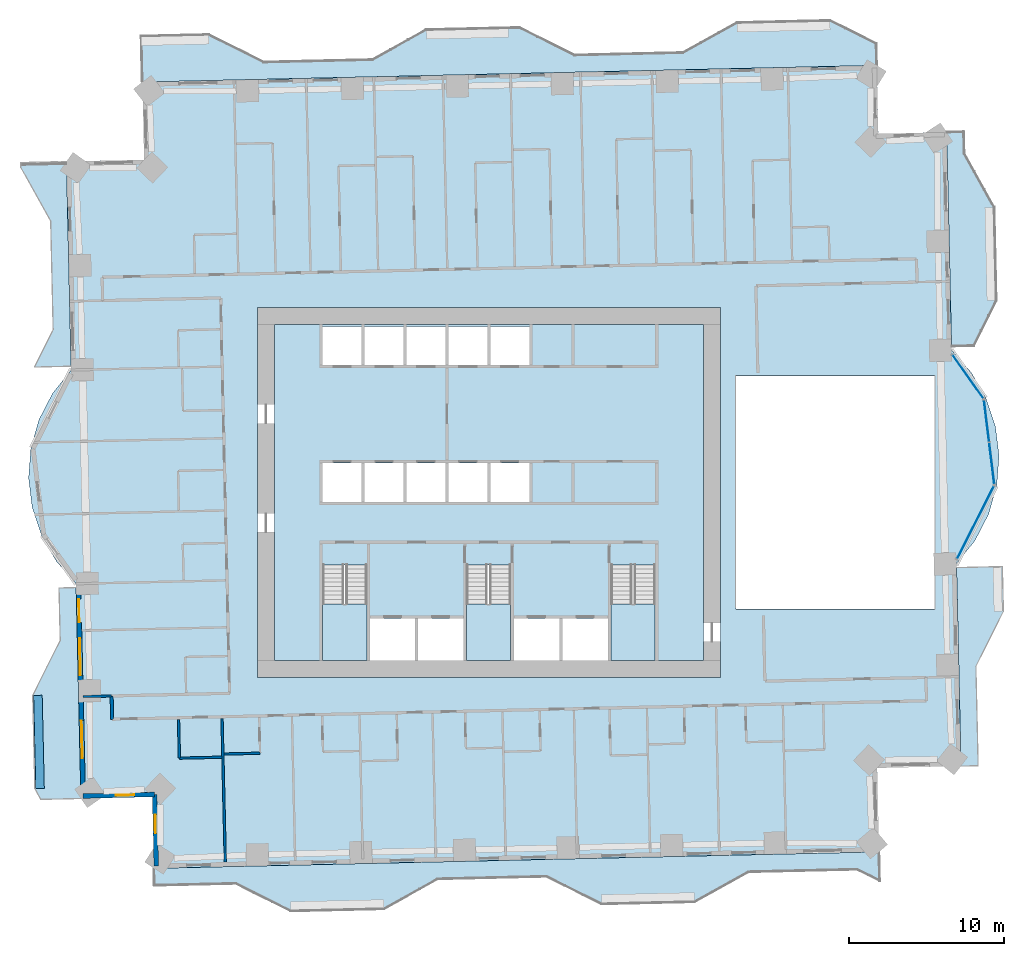
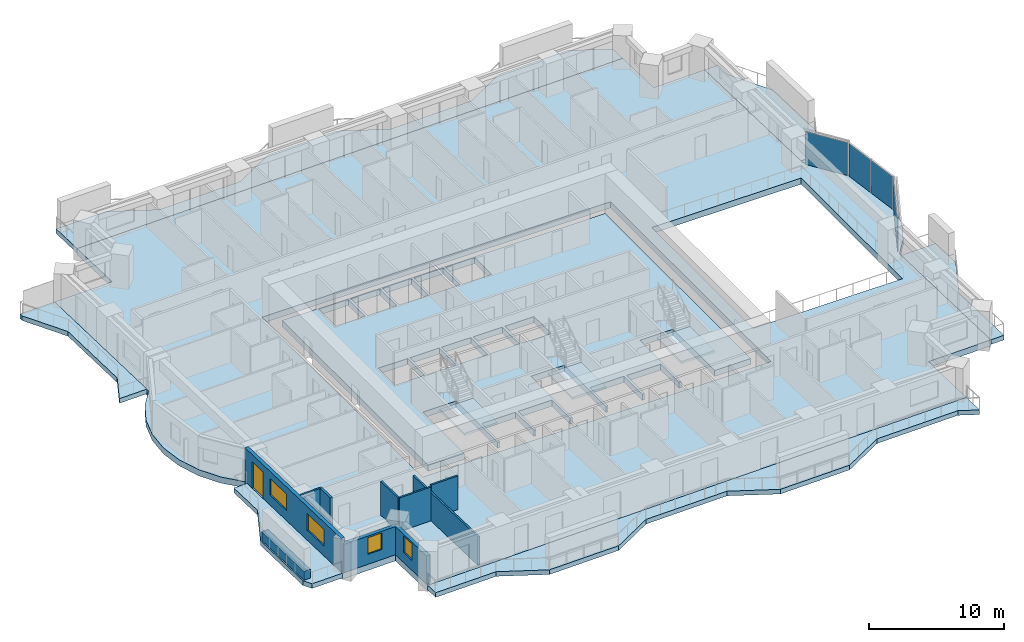
# One storey, part 5 of 17: 11 slabs, 10 walls, 4 plates, 4 windows, 1 door, 5 openings, 6 elements without a shape of their own.
"""IFC4 building model written with IfcOpenShell, lengths in metres."""

from ifc_helpers import new_model, si_unit, direction, frame, frame_2d, origin, origin_2d, place, context, subcontext, project, spatial, polyline, rectangle, outline, extrude, material, layer, layer_set, type_object, element, fill, aggregate, save


model = new_model("IFC4")

# Units and contexts
model_context = context("Model", 3, precision=1e-05, world=origin(), true_north=direction((0.0, 1.0)))
body_context = subcontext(model_context, "Body", "Model", "MODEL_VIEW")
ifc_project = project(units=[si_unit("LENGTHUNIT", "METRE"), si_unit("AREAUNIT", "SQUARE_METRE"), si_unit("VOLUMEUNIT", "CUBIC_METRE"), si_unit("PLANEANGLEUNIT", "RADIAN"), si_unit("MASSUNIT", "GRAM", prefix="KILO")], contexts=[model_context])

# Site, building, storey
site_placement = place(None, origin())
site = spatial("IfcSite", under=ifc_project, at=site_placement, CompositionType="ELEMENT")
building_placement = place(site_placement, origin())
building = spatial("IfcBuilding", under=site, at=building_placement, Name="Mangrove Gate Tower", CompositionType="ELEMENT")
storey_placement = place(building_placement, frame((0.0, 0.0, 82.89990234375)))
storey = spatial("IfcBuildingStorey", under=building, at=storey_placement, Name="L20", CompositionType="ELEMENT", Elevation=82.89990234375)

# Curtain wall, plate
ifc_material_1 = material(Name="Aluminium and glass curtain wall", Category="aluminium")
curtain_wall_type = type_object("IfcCurtainWallType", Name="Atrium garden-court glazing wall", PredefinedType="NOTDEFINED", material=ifc_material_1)
curtain_wall_1_placement = place(storey_placement, origin())
curtain_wall_1 = element("IfcCurtainWall", 1, at=curtain_wall_1_placement, inside=storey, type_object=curtain_wall_type, Name="Atrium garden-court glazing E1f1", PredefinedType="NOTDEFINED")
ifc_material_2 = material(Name="Laminated low-e glass", Category="glass")
ifc_layer_1 = layer(ifc_material_2, 0.031982421875)
ifc_layer_set_1 = layer_set([ifc_layer_1], Name="Atrium garden-court glazing panel 32")
plate_type = type_object("IfcPlateType", Name="Atrium garden-court glazing panel 32", PredefinedType="CURTAIN_PANEL", material=ifc_layer_set_1)
plate_1_placement = place(storey_placement, frame((31.310791015625, -1.928466796875, 0.0), z_axis=(0.0, 0.0, 1.0), x_axis=(0.452580762064, 0.891723417776, 0.0)))
plate_1 = element("IfcPlate", 2, at=plate_1_placement, type_object=plate_type, Name="CWA panel 1.1", PredefinedType="CURTAIN_PANEL", context=body_context, shape_type="SweptSolid", body=[
    extrude(rectangle(XDim=5.257568359375, YDim=0.031982421875, at=origin_2d()), origin(), (0.0, 0.0, 1.0), 2.97998046875),
])
aggregate(curtain_wall_1, [plate_1])

# Curtain wall, plates
curtain_wall_2_placement = place(storey_placement, origin())
curtain_wall_2 = element("IfcCurtainWall", 3, at=curtain_wall_2_placement, inside=storey, type_object=curtain_wall_type, Name="Atrium garden-court glazing E1f2", PredefinedType="NOTDEFINED")
plate_2_placement = place(storey_placement, frame((32.35986328125, 1.87841796875, 0.0), z_axis=(0.0, 0.0, 1.0), x_axis=(-0.122172286076, 0.992508908028, 0.0)))
plate_2 = element("IfcPlate", 4, at=plate_2_placement, type_object=plate_type, Name="CWA panel 1.1", PredefinedType="CURTAIN_PANEL", context=body_context, shape_type="SweptSolid", body=[
    extrude(rectangle(XDim=2.681640625, YDim=0.031982421875, at=origin_2d()), origin(), (0.0, 0.0, 1.0), 2.97998046875),
])
plate_3_placement = place(storey_placement, frame((32.023681640625, 4.609619140625, 0.0), z_axis=(0.0, 0.0, 1.0), x_axis=(-0.122172286076, 0.992508908028, 0.0)))
plate_3 = element("IfcPlate", 5, at=plate_3_placement, type_object=plate_type, Name="CWA panel 2.1", PredefinedType="CURTAIN_PANEL", context=body_context, shape_type="SweptSolid", body=[
    extrude(rectangle(XDim=2.681640625, YDim=0.031982421875, at=origin_2d()), origin(), (0.0, 0.0, 1.0), 2.97998046875),
])
aggregate(curtain_wall_2, [plate_2, plate_3])

# Curtain wall, plate
curtain_wall_3_placement = place(storey_placement, origin())
curtain_wall_3 = element("IfcCurtainWall", 6, at=curtain_wall_3_placement, inside=storey, type_object=curtain_wall_type, Name="Atrium garden-court glazing E1f3", PredefinedType="NOTDEFINED")
plate_4_placement = place(storey_placement, frame((30.81982421875, 7.465576171875, 0.0), z_axis=(0.0, 0.0, 1.0), x_axis=(-0.578109291006, 0.815959341911, 0.0)))
plate_4 = element("IfcPlate", 7, at=plate_4_placement, type_object=plate_type, Name="CWA panel 1.1", PredefinedType="CURTAIN_PANEL", context=body_context, shape_type="SweptSolid", body=[
    extrude(rectangle(XDim=3.42822265625, YDim=0.031982421875, at=origin_2d()), origin(), (0.0, 0.0, 1.0), 2.97998046875),
])
aggregate(curtain_wall_3, [plate_4])

# Slabs
ifc_material_3 = material(Name="Porcelain tile")
ifc_layer_2 = layer(ifc_material_3, 0.02001953125, Name="Tile finish")
ifc_material_4 = material(Name="Cement sand screed")
ifc_layer_3 = layer(ifc_material_4, 0.0400390625, Name="Screed laid to falls")
ifc_material_5 = material(Name="Bituminous waterproofing membrane")
ifc_layer_4 = layer(ifc_material_5, 0.00390625, Name="Waterproofing")
ifc_material_6 = material(Name="Concrete C40/50", Category="concrete")
ifc_layer_5 = layer(ifc_material_6, 0.340087890625, Name="Balcony structural slab")
ifc_material_7 = material(Name="Limestone", Category="masonry")
ifc_layer_6 = layer(ifc_material_7, 0.01611328125, Name="Soffit lining")
ifc_layer_set_2 = layer_set([ifc_layer_2, ifc_layer_3, ifc_layer_4, ifc_layer_5, ifc_layer_6], Name="Balcony slab 420 C40/50")
slab_type_1 = type_object("IfcSlabType", Name="Balcony slab 420 C40/50", PredefinedType="FLOOR", material=ifc_layer_set_2)
slab_1_placement = place(storey_placement, frame((0.0, 0.0, -0.419921875)))
element("IfcSlab", 8, at=slab_1_placement, inside=storey, type_object=slab_type_1, Name="BALCONY L20 E0", PredefinedType="FLOOR", context=body_context, shape_type="SweptSolid", body=[
    extrude(outline(polyline([(31.52001953125, -17.575927734375), (31.375, -11.177978515625), (33.14501953125, -7.636962890625), (33.080078125, -4.762939453125), (30.090087890625, -4.8310546875), (30.156005859375, -7.705078125), (30.235107421875, -11.2041015625), (30.3798828125, -17.60205078125), (31.52001953125, -17.575927734375)])), origin(), (0.0, 0.0, 1.0), 0.419921875),
])
slab_2_placement = place(storey_placement, frame((0.0, 0.0, -0.419921875)))
element("IfcSlab", 9, at=slab_2_placement, inside=storey, type_object=slab_type_1, Name="BALCONY L20 E1", PredefinedType="FLOOR", context=body_context, shape_type="SweptSolid", body=[
    extrude(outline(polyline([(31.237060546875, 9.449951171875), (32.69091796875, 12.35791015625), (32.554931640625, 18.35693359375), (30.6259765625, 21.81396484375), (30.593994140625, 23.212890625), (29.455078125, 23.18701171875), (29.486083984375, 21.7880859375), (29.56591796875, 18.2890625), (29.701904296875, 12.2900390625), (29.76708984375, 9.416015625), (31.237060546875, 9.449951171875)])), origin(), (0.0, 0.0, 1.0), 0.419921875),
])
slab_3_placement = place(storey_placement, frame((0.0, 0.0, -0.419921875)))
element("IfcSlab", 10, at=slab_3_placement, inside=storey, type_object=slab_type_1, Name="BALCONY L20 N0", PredefinedType="FLOOR", context=body_context, shape_type="SweptSolid", body=[
    extrude(outline(polyline([(24.923095703125, 28.924072265625), (21.952880859375, 30.408935546875), (15.9541015625, 30.27294921875), (12.4970703125, 28.343994140625), (5.4990234375, 28.18505859375), (1.9580078125, 29.955078125), (1.258056640625, 29.93994140625), (-4.041015625, 29.819091796875), (-7.498046875, 27.889892578125), (-14.49609375, 27.73291015625), (-18.037109375, 29.501953125), (-22.3720703125, 29.403076171875), (-22.303955078125, 26.4140625), (24.9560546875, 27.487060546875), (24.923095703125, 28.924072265625)])), origin(), (0.0, 0.0, 1.0), 0.419921875),
])
slab_4_placement = place(storey_placement, frame((0.0, 0.0, -0.419921875)))
element("IfcSlab", 11, at=slab_4_placement, inside=storey, type_object=slab_type_1, Name="BALCONY L20 W0", PredefinedType="FLOOR", context=body_context, shape_type="SweptSolid", body=[
    extrude(outline(polyline([(-30.177978515625, 21.23388671875), (-30.172119140625, 20.93408203125), (-28.242919921875, 17.47705078125), (-28.083984375, 10.47900390625), (-29.284912109375, 8.075927734375), (-26.889892578125, 8.131103515625), (-26.944091796875, 10.5048828125), (-27.10302734375, 17.5029296875), (-27.181884765625, 21.001953125), (-27.18896484375, 21.302001953125), (-30.177978515625, 21.23388671875)])), origin(), (0.0, 0.0, 1.0), 0.419921875),
])
slab_5_placement = place(storey_placement, frame((0.0, 0.0, -0.419921875)))
element("IfcSlab", 12, at=slab_5_placement, inside=storey, type_object=slab_type_1, Name="BALCONY L20 W1", PredefinedType="FLOOR", context=body_context, shape_type="SweptSolid", body=[
    extrude(outline(polyline([(-27.70703125, -6.14208984375), (-27.6298828125, -9.51611328125), (-29.39990234375, -13.056884765625), (-29.263916015625, -19.055908203125), (-28.8779296875, -19.7470703125), (-26.259033203125, -19.68798828125), (-26.27490234375, -18.988037109375), (-26.410888671875, -12.989013671875), (-26.489990234375, -9.489990234375), (-26.56689453125, -6.115966796875), (-27.70703125, -6.14208984375)])), origin(), (0.0, 0.0, 1.0), 0.419921875),
])
slab_6_placement = place(storey_placement, frame((0.0, 0.0, -0.419921875)))
element("IfcSlab", 13, at=slab_6_placement, inside=storey, type_object=slab_type_1, Name="BALCONY L20 S0", PredefinedType="FLOOR", context=body_context, shape_type="SweptSolid", body=[
    extrude(outline(polyline([(-21.530029296875, -25.322021484375), (-16.294921875, -25.202880859375), (-12.75390625, -26.972900390625), (-6.756103515625, -26.8369140625), (-3.299072265625, -24.907958984375), (3.698974609375, -24.75), (7.240966796875, -26.51904296875), (13.239013671875, -26.383056640625), (16.696044921875, -24.4541015625), (23.694091796875, -24.2958984375), (25.14697265625, -25.02197265625), (25.10400390625, -23.123046875), (3.674072265625, -23.60888671875), (1.77392578125, -23.653076171875), (-21.555908203125, -24.181884765625), (-21.530029296875, -25.322021484375)])), origin(), (0.0, 0.0, 1.0), 0.419921875),
])
ifc_material_8 = material(Name="Concrete C40/50", Category="concrete")
ifc_layer_7 = layer(ifc_material_8, 0.550048828125)
ifc_layer_set_3 = layer_set([ifc_layer_7], Name="Core floor slab 550 C40/50")
slab_type_2 = type_object("IfcSlabType", Name="Core floor slab 550 C40/50", PredefinedType="FLOOR", material=ifc_layer_set_3)
slab_7_placement = place(storey_placement, frame((0.0, 0.0, -0.5498046875)))
element("IfcSlab", 14, at=slab_7_placement, inside=storey, type_object=slab_type_2, Name="SLAB-L20-CORE-1", PredefinedType="FLOOR", context=body_context, shape_type="SweptSolid", body=[
    extrude(outline(polyline([(-13.800048828125, -10.800048828125), (-13.800048828125, 10.800048828125), (13.800048828125, 10.800048828125), (13.800048828125, -10.800048828125), (10.699951171875, -10.800048828125), (10.699951171875, -4.653076171875), (7.85009765625, -4.653076171875), (7.85009765625, -10.800048828125), (7.64990234375, -10.800048828125), (7.64990234375, -8.10009765625), (4.72509765625, -8.10009765625), (4.72509765625, -10.800048828125), (4.52490234375, -10.800048828125), (4.52490234375, -8.10009765625), (1.60009765625, -8.10009765625), (1.60009765625, -10.800048828125), (1.39990234375, -10.800048828125), (1.39990234375, -4.653076171875), (-1.449951171875, -4.653076171875), (-1.449951171875, -10.800048828125), (-1.64990234375, -10.800048828125), (-1.64990234375, -8.10009765625), (-4.550048828125, -8.10009765625), (-4.550048828125, -10.800048828125), (-4.75, -10.800048828125), (-4.75, -8.10009765625), (-7.64990234375, -8.10009765625), (-7.64990234375, -10.800048828125), (-7.85009765625, -10.800048828125), (-7.85009765625, -4.653076171875), (-10.699951171875, -4.653076171875), (-10.699951171875, -10.800048828125), (-13.800048828125, -10.800048828125)]), holes=[polyline([(-8.199951171875, -0.60009765625), (-8.199951171875, 1.89990234375), (-10.699951171875, 1.89990234375), (-10.699951171875, -0.60009765625), (-8.199951171875, -0.60009765625)]), polyline([(-5.5, -0.60009765625), (-5.5, 1.89990234375), (-8.0, 1.89990234375), (-8.0, -0.60009765625), (-5.5, -0.60009765625)]), polyline([(-2.800048828125, -0.60009765625), (-2.800048828125, 1.89990234375), (-5.300048828125, 1.89990234375), (-5.300048828125, -0.60009765625), (-2.800048828125, -0.60009765625)]), polyline([(-8.199951171875, 8.199951171875), (-8.199951171875, 10.699951171875), (-10.699951171875, 10.699951171875), (-10.699951171875, 8.199951171875), (-8.199951171875, 8.199951171875)]), polyline([(-5.5, 8.199951171875), (-5.5, 10.699951171875), (-8.0, 10.699951171875), (-8.0, 8.199951171875), (-5.5, 8.199951171875)]), polyline([(-2.800048828125, 8.199951171875), (-2.800048828125, 10.699951171875), (-5.300048828125, 10.699951171875), (-5.300048828125, 8.199951171875), (-2.800048828125, 8.199951171875)]), polyline([(-0.10009765625, -0.60009765625), (-0.10009765625, 1.89990234375), (-2.60009765625, 1.89990234375), (-2.60009765625, -0.60009765625), (-0.10009765625, -0.60009765625)]), polyline([(2.60009765625, -0.60009765625), (2.60009765625, 1.89990234375), (0.10009765625, 1.89990234375), (0.10009765625, -0.60009765625), (2.60009765625, -0.60009765625)]), polyline([(-2.60009765625, 8.199951171875), (-0.10009765625, 8.199951171875), (-0.10009765625, 10.699951171875), (-2.60009765625, 10.699951171875), (-2.60009765625, 8.199951171875)]), polyline([(0.10009765625, 8.199951171875), (2.60009765625, 8.199951171875), (2.60009765625, 10.699951171875), (0.10009765625, 10.699951171875), (0.10009765625, 8.199951171875)])]), origin(), (0.0, 0.0, 1.0), 0.5498046875),
])

# Stair, slab
ifc_material_9 = material(Name="Concrete C40/50", Category="concrete")
stair_type = type_object("IfcStairType", Name="Core stair 1350", PredefinedType="HALF_TURN_STAIR", material=ifc_material_9)
stair_1_placement = place(storey_placement, origin())
stair_1 = element("IfcStair", 15, at=stair_1_placement, inside=storey, type_object=stair_type, Name="L20 Stair 1", PredefinedType="HALF_TURN_STAIR")
ifc_material_10 = material(Name="Concrete C40/50", Category="concrete")
ifc_layer_8 = layer(ifc_material_10, 0.199951171875)
ifc_layer_set_4 = layer_set([ifc_layer_8], Name="Core stair landing 200")
slab_type_3 = type_object("IfcSlabType", Name="Core stair landing 200", PredefinedType="LANDING", material=ifc_layer_set_4)
slab_8_placement = place(storey_placement, frame((0.0, 0.0, 1.60009765625)))
slab_8 = element("IfcSlab", 16, at=slab_8_placement, type_object=slab_type_3, Name="ST1 landing 1", PredefinedType="LANDING", context=body_context, shape_type="SweptSolid", body=[
    extrude(outline(polyline([(-10.699951171875, -7.169921875), (-10.699951171875, -10.800048828125), (-7.85009765625, -10.800048828125), (-7.85009765625, -7.169921875), (-10.699951171875, -7.169921875)])), origin(), (0.0, 0.0, 1.0), 0.199951171875),
])
aggregate(stair_1, [slab_8])

stair_2_placement = place(storey_placement, origin())
stair_2 = element("IfcStair", 17, at=stair_2_placement, inside=storey, type_object=stair_type, Name="L20 Stair 2", PredefinedType="HALF_TURN_STAIR")
slab_9_placement = place(storey_placement, frame((0.0, 0.0, 1.60009765625)))
slab_9 = element("IfcSlab", 18, at=slab_9_placement, type_object=slab_type_3, Name="ST2 landing 1", PredefinedType="LANDING", context=body_context, shape_type="SweptSolid", body=[
    extrude(outline(polyline([(-1.449951171875, -7.169921875), (-1.449951171875, -10.800048828125), (1.39990234375, -10.800048828125), (1.39990234375, -7.169921875), (-1.449951171875, -7.169921875)])), origin(), (0.0, 0.0, 1.0), 0.199951171875),
])
aggregate(stair_2, [slab_9])

stair_3_placement = place(storey_placement, origin())
stair_3 = element("IfcStair", 19, at=stair_3_placement, inside=storey, type_object=stair_type, Name="L20 Stair 3", PredefinedType="HALF_TURN_STAIR")
slab_10_placement = place(storey_placement, frame((0.0, 0.0, 1.60009765625)))
slab_10 = element("IfcSlab", 20, at=slab_10_placement, type_object=slab_type_3, Name="ST3 landing 1", PredefinedType="LANDING", context=body_context, shape_type="SweptSolid", body=[
    extrude(outline(polyline([(7.85009765625, -7.169921875), (7.85009765625, -10.800048828125), (10.699951171875, -10.800048828125), (10.699951171875, -7.169921875), (7.85009765625, -7.169921875)])), origin(), (0.0, 0.0, 1.0), 0.199951171875),
])
aggregate(stair_3, [slab_10])

# Slab
ifc_material_11 = material(Name="Concrete C40/50", Category="concrete")
ifc_layer_9 = layer(ifc_material_11, 0.550048828125)
ifc_layer_set_5 = layer_set([ifc_layer_9], Name="Floor slab 550 C40/50")
slab_type_4 = type_object("IfcSlabType", Name="Floor slab 550 C40/50", PredefinedType="FLOOR", material=ifc_layer_set_5)
slab_11_placement = place(storey_placement, frame((0.0, 0.0, -0.5498046875)))
element("IfcSlab", 21, at=slab_11_placement, inside=storey, type_object=slab_type_4, Name="Floor slab L20", PredefinedType="FLOOR", context=body_context, shape_type="SweptSolid", body=[
    extrude(outline(polyline([(-21.555908203125, -24.181884765625), (25.10400390625, -23.123046875), (24.981689453125, -17.724609375), (30.380126953125, -17.60205078125), (30.084716796875, -4.58056640625), (31.28125, -3.08837890625), (32.158203125, -1.388427734375), (32.6806640625, 0.45166015625), (32.827880859375, 2.358642578125), (32.59423828125, 4.257080078125), (31.98876953125, 6.071533203125), (31.03564453125, 7.72998046875), (29.772705078125, 9.16650390625), (29.45458984375, 23.1875), (25.0556640625, 23.087646484375), (24.955810546875, 27.486572265625), (-22.303955078125, 26.4140625), (-22.1904296875, 21.415283203125), (-27.189208984375, 21.302001953125), (-26.884765625, 7.880615234375), (-28.081298828125, 6.388427734375), (-28.958251953125, 4.6884765625), (-29.480712890625, 2.848388671875), (-29.6279296875, 0.94140625), (-29.394287109375, -0.95703125), (-28.788818359375, -2.771484375), (-27.835693359375, -4.429931640625), (-26.57275390625, -5.866455078125), (-26.259033203125, -19.6875), (-21.66015625, -19.583251953125), (-21.555908203125, -24.181884765625)]), holes=[polyline([(15.89990234375, 7.5), (28.658935546875, 7.5), (28.658935546875, -7.5), (15.89990234375, -7.5), (15.89990234375, 7.5)]), polyline([(-14.89990234375, -11.89990234375), (-14.89990234375, 11.89990234375), (14.89990234375, 11.89990234375), (14.89990234375, -11.89990234375), (-14.89990234375, -11.89990234375)])]), origin(), (0.0, 0.0, 1.0), 0.5498046875),
])

# Wall
ifc_material_12 = material(Name="Gypsum board on steel stud, EI 60", Category="steel")
ifc_layer_10 = layer(ifc_material_12, 0.199951171875)
ifc_layer_set_6 = layer_set([ifc_layer_10], Name="Corridor wall EI 60")
wall_type_1 = type_object("IfcWallType", Name="Corridor wall EI 60", PredefinedType="PARTITIONING", material=ifc_layer_set_6)
wall_1_placement = place(storey_placement, frame((-24.248046875, -14.591064453125, 0.0), z_axis=(0.0, 0.0, 1.0), x_axis=(-0.022617910375, 0.999744182344, 0.0)))
element("IfcWall", 22, at=wall_1_placement, inside=storey, type_object=wall_type_1, Name="WALL-L20-031", PredefinedType="PARTITIONING", context=body_context, shape_type="SweptSolid", body=[
    extrude(rectangle(XDim=1.50048828125, YDim=0.199951171875, at=frame_2d((0.750244140625, 0.0))), origin(), (0.0, 0.0, 1.0), 3.050048828125),
])

# Wall, openings, door, windows
ifc_layer_11 = layer(ifc_material_7, 0.0400390625, Name="Limestone cladding")
ifc_material_13 = material(Name="Ventilated air gap")
ifc_layer_12 = layer(ifc_material_13, 0.0400390625, Name="Ventilated cavity")
ifc_material_14 = material(Name="Mineral wool insulation")
ifc_layer_13 = layer(ifc_material_14, 0.06005859375, Name="Insulation")
ifc_material_15 = material(Name="Breather membrane")
ifc_layer_14 = layer(ifc_material_15, 0.001953125, Name="Breather membrane")
ifc_material_16 = material(Name="Concrete C20/25 blockwork", Category="masonry")
ifc_layer_15 = layer(ifc_material_16, 0.14990234375, Name="Blockwork backing wall")
ifc_material_17 = material(Name="Gypsum plaster")
ifc_layer_16 = layer(ifc_material_17, 0.008056640625, Name="Internal plaster")
ifc_layer_set_7 = layer_set([ifc_layer_11, ifc_layer_12, ifc_layer_13, ifc_layer_14, ifc_layer_15, ifc_layer_16], Name="External wall 300 limestone cladding")
wall_type_2 = type_object("IfcWallType", Name="External wall 300 limestone cladding", PredefinedType="SOLIDWALL", material=ifc_layer_set_7)
wall_2_placement = place(storey_placement, frame((-26.424072265625, -5.80810546875, 0.0), z_axis=(0.0, 0.0, 1.0), x_axis=(0.022654755793, -0.999743348085, 0.0)))
wall_2 = element("IfcWall", 23, at=wall_2_placement, inside=storey, type_object=wall_type_2, Name="WALL-L20-W10", PredefinedType="SOLIDWALL", context=body_context, shape_type="SweptSolid", body=[
    extrude(rectangle(XDim=13.729248046875, YDim=0.300048828125, at=frame_2d((6.86474609375, 0.0))), origin(), (0.0, 0.0, 1.0), 3.050048828125),
])
opening_1_placement = place(wall_2_placement, frame((1.053955078125, 0.0, 0.0)))
opening_1 = element("IfcOpeningElement", 24, at=opening_1_placement, cuts=wall_2, Name="Opening BD1", PredefinedType="OPENING", context=body_context, shape_type="SweptSolid", body=[
    extrude(rectangle(XDim=1.5, YDim=2.39990234375, at=frame_2d((0.75, 1.199951171875))), frame((0.0, 0.159912109375, 0.0), z_axis=(0.0, -1.0, 0.0), x_axis=(1.0, 0.0, 0.0)), (0.0, 0.0, 1.0), 0.320068359375),
])
opening_2_placement = place(wall_2_placement, frame((3.56005859375, 0.0, 0.89990234375)))
opening_2 = element("IfcOpeningElement", 25, at=opening_2_placement, cuts=wall_2, Name="Opening W2", PredefinedType="OPENING", context=body_context, shape_type="SweptSolid", body=[
    extrude(rectangle(XDim=2.39990234375, YDim=1.5, at=frame_2d((1.199951171875, 0.75))), frame((0.0, 0.159912109375, 0.0), z_axis=(0.0, -1.0, 0.0), x_axis=(1.0, 0.0, 0.0)), (0.0, 0.0, 1.0), 0.320068359375),
])
opening_3_placement = place(wall_2_placement, frame((8.882080078125, 0.0, 0.89990234375)))
opening_3 = element("IfcOpeningElement", 26, at=opening_3_placement, cuts=wall_2, Name="Opening W2", PredefinedType="OPENING", context=body_context, shape_type="SweptSolid", body=[
    extrude(rectangle(XDim=2.39990234375, YDim=1.5, at=frame_2d((1.199951171875, 0.75))), frame((0.0, 0.159912109375, 0.0), z_axis=(0.0, -1.0, 0.0), x_axis=(1.0, 0.0, 0.0)), (0.0, 0.0, 1.0), 0.320068359375),
])
ifc_material_18 = material(Name="Aluminium frame with laminated clear glass", Category="aluminium")
door_type = type_object("IfcDoorType", Name="Balcony sliding door 1500x2400", OperationType="SLIDING_TO_LEFT", PredefinedType="DOOR", material=ifc_material_18)
door_placement = place(opening_1_placement, origin())
door = element("IfcDoor", 27, at=door_placement, inside=storey, type_object=door_type, Name="DOOR-L20-W10-1", OperationType="SLIDING_TO_LEFT", OverallHeight=2.39990234375, OverallWidth=1.5, PredefinedType="DOOR", context=body_context, shape_type="SweptSolid", body=[
    extrude(rectangle(XDim=1.5, YDim=2.39990234375, at=frame_2d((0.75, 1.199951171875))), frame((0.0, 0.02490234375, 0.0), z_axis=(0.0, -1.0, 0.0), x_axis=(1.0, 0.0, 0.0)), (0.0, 0.0, 1.0), 0.050048828125),
])
fill(opening_1, door)
ifc_material_19 = material(Name="Aluminium frame with double-glazed low-e glass", Category="aluminium")
window_type_1 = type_object("IfcWindowType", Name="Corner room window 2400x1500", PartitioningType="DOUBLE_PANEL_VERTICAL", PredefinedType="WINDOW", material=ifc_material_19)
window_1_placement = place(opening_2_placement, origin())
window_1 = element("IfcWindow", 28, at=window_1_placement, inside=storey, type_object=window_type_1, Name="WIN-L20-W10-2", OverallHeight=1.5, OverallWidth=2.39990234375, PartitioningType="DOUBLE_PANEL_VERTICAL", PredefinedType="WINDOW", context=body_context, shape_type="SweptSolid", body=[
    extrude(rectangle(XDim=2.39990234375, YDim=1.5, at=frame_2d((1.199951171875, 0.75))), frame((0.0, 0.030029296875, 0.0), z_axis=(0.0, -1.0, 0.0), x_axis=(1.0, 0.0, 0.0)), (0.0, 0.0, 1.0), 0.06005859375),
])
fill(opening_2, window_1)
window_2_placement = place(opening_3_placement, origin())
window_2 = element("IfcWindow", 29, at=window_2_placement, inside=storey, type_object=window_type_1, Name="WIN-L20-W10-3", OverallHeight=1.5, OverallWidth=2.39990234375, PartitioningType="DOUBLE_PANEL_VERTICAL", PredefinedType="WINDOW", context=body_context, shape_type="SweptSolid", body=[
    extrude(rectangle(XDim=2.39990234375, YDim=1.5, at=frame_2d((1.199951171875, 0.75))), frame((0.0, 0.030029296875, 0.0), z_axis=(0.0, -1.0, 0.0), x_axis=(1.0, 0.0, 0.0)), (0.0, 0.0, 1.0), 0.06005859375),
])
fill(opening_3, window_2)

# Wall, opening, window
wall_3_placement = place(storey_placement, frame((-26.113037109375, -19.533935546875, 0.0), z_axis=(0.0, 0.0, 1.0), x_axis=(0.999744404568, 0.02260808559, 0.0)))
wall_3 = element("IfcWall", 30, at=wall_3_placement, inside=storey, type_object=wall_type_2, Name="WALL-L20-S11", PredefinedType="SOLIDWALL", context=body_context, shape_type="SweptSolid", body=[
    extrude(rectangle(XDim=4.600341796875, YDim=0.300048828125, at=frame_2d((2.30029296875, 0.0))), origin(), (0.0, 0.0, 1.0), 2.550048828125),
])
opening_4_placement = place(wall_3_placement, frame((2.097900390625, 0.0, 0.89990234375)))
opening_4 = element("IfcOpeningElement", 31, at=opening_4_placement, cuts=wall_3, Name="Opening W1", PredefinedType="OPENING", context=body_context, shape_type="SweptSolid", body=[
    extrude(rectangle(XDim=1.199951171875, YDim=1.5, at=frame_2d((0.60009765625, 0.75))), frame((0.0, 0.159912109375, 0.0), z_axis=(0.0, -1.0, 0.0), x_axis=(1.0, 0.0, 0.0)), (0.0, 0.0, 1.0), 0.320068359375),
])
ifc_material_20 = material(Name="Aluminium frame with double-glazed low-e glass", Category="aluminium")
window_type_2 = type_object("IfcWindowType", Name="Side lite 1200x1500", PartitioningType="SINGLE_PANEL", PredefinedType="WINDOW", material=ifc_material_20)
window_3_placement = place(opening_4_placement, origin())
window_3 = element("IfcWindow", 32, at=window_3_placement, inside=storey, type_object=window_type_2, Name="WIN-L20-S11-1", OverallHeight=1.5, OverallWidth=1.199951171875, PartitioningType="SINGLE_PANEL", PredefinedType="WINDOW", context=body_context, shape_type="SweptSolid", body=[
    extrude(rectangle(XDim=1.199951171875, YDim=1.5, at=frame_2d((0.60009765625, 0.75))), frame((0.0, 0.030029296875, 0.0), z_axis=(0.0, -1.0, 0.0), x_axis=(1.0, 0.0, 0.0)), (0.0, 0.0, 1.0), 0.06005859375),
])
fill(opening_4, window_3)

wall_4_placement = place(storey_placement, frame((-21.513916015625, -19.429931640625, 0.0), z_axis=(0.0, 0.0, 1.0), x_axis=(0.022820258049, -0.999739584003, 0.0)))
wall_4 = element("IfcWall", 33, at=wall_4_placement, inside=storey, type_object=wall_type_2, Name="WALL-L20-W12", PredefinedType="SOLIDWALL", context=body_context, shape_type="SweptSolid", body=[
    extrude(rectangle(XDim=4.600341796875, YDim=0.300048828125, at=frame_2d((2.30029296875, 0.0))), origin(), (0.0, 0.0, 1.0), 2.550048828125),
])
opening_5_placement = place(wall_4_placement, frame((1.303955078125, 0.0, 0.89990234375)))
opening_5 = element("IfcOpeningElement", 34, at=opening_5_placement, cuts=wall_4, Name="Opening W1", PredefinedType="OPENING", context=body_context, shape_type="SweptSolid", body=[
    extrude(rectangle(XDim=1.199951171875, YDim=1.5, at=frame_2d((0.60009765625, 0.75))), frame((0.0, 0.159912109375, 0.0), z_axis=(0.0, -1.0, 0.0), x_axis=(1.0, 0.0, 0.0)), (0.0, 0.0, 1.0), 0.320068359375),
])
window_4_placement = place(opening_5_placement, origin())
window_4 = element("IfcWindow", 35, at=window_4_placement, inside=storey, type_object=window_type_2, Name="WIN-L20-W12-1", OverallHeight=1.5, OverallWidth=1.199951171875, PartitioningType="SINGLE_PANEL", PredefinedType="WINDOW", context=body_context, shape_type="SweptSolid", body=[
    extrude(rectangle(XDim=1.199951171875, YDim=1.5, at=frame_2d((0.60009765625, 0.75))), frame((0.0, 0.030029296875, 0.0), z_axis=(0.0, -1.0, 0.0), x_axis=(1.0, 0.0, 0.0)), (0.0, 0.0, 1.0), 0.06005859375),
])
fill(opening_5, window_4)

# Walls
ifc_material_21 = material(Name="Gypsum board on steel stud, EI 60", Category="steel")
ifc_layer_17 = layer(ifc_material_21, 0.14990234375)
ifc_layer_set_8 = layer_set([ifc_layer_17], Name="Party wall 150 EI 60")
wall_type_3 = type_object("IfcWallType", Name="Party wall 150 EI 60", PredefinedType="PARTITIONING", material=ifc_layer_set_8)
wall_5_placement = place(storey_placement, frame((-16.968017578125, -23.778076171875, 0.0), z_axis=(0.0, 0.0, 1.0), x_axis=(-0.022697424684, 0.999742380272, 0.0)))
element("IfcWall", 36, at=wall_5_placement, inside=storey, type_object=wall_type_3, Name="WALL-L20-001", PredefinedType="PARTITIONING", context=body_context, shape_type="SweptSolid", body=[
    extrude(rectangle(XDim=9.25048828125, YDim=0.14990234375, at=frame_2d((4.625244140625, 0.0))), origin(), (0.0, 0.0, 1.0), 2.550048828125),
])
wall_6_placement = place(storey_placement, frame((-19.919921875, -17.093017578125, 0.0), z_axis=(0.0, 0.0, 1.0), x_axis=(-0.022854521249, 0.999738801317, 0.0)))
element("IfcWall", 37, at=wall_6_placement, inside=storey, type_object=wall_type_3, Name="WALL-L20-018", PredefinedType="PARTITIONING", context=body_context, shape_type="SweptSolid", body=[
    extrude(rectangle(XDim=2.499755859375, YDim=0.14990234375, at=frame_2d((1.25, 0.0))), origin(), (0.0, 0.0, 1.0), 3.050048828125),
])
wall_7_placement = place(storey_placement, frame((-19.916015625, -17.093017578125, 0.0), z_axis=(0.0, 0.0, 1.0), x_axis=(0.999741002259, 0.022758040381, 0.0)))
element("IfcWall", 38, at=wall_7_placement, inside=storey, type_object=wall_type_3, Name="WALL-L20-019", PredefinedType="PARTITIONING", context=body_context, shape_type="SweptSolid", body=[
    extrude(rectangle(XDim=2.724853515625, YDim=0.14990234375, at=frame_2d((1.3623046875, 0.0))), origin(), (0.0, 0.0, 1.0), 3.050048828125),
])
wall_8_placement = place(storey_placement, frame((-17.047119140625, -16.827880859375, 0.0), z_axis=(0.0, 0.0, 1.0), x_axis=(0.99974053329, 0.022778632478, 0.0)))
element("IfcWall", 39, at=wall_8_placement, inside=storey, type_object=wall_type_3, Name="WALL-L20-020", PredefinedType="PARTITIONING", context=body_context, shape_type="SweptSolid", body=[
    extrude(rectangle(XDim=2.32568359375, YDim=0.14990234375, at=frame_2d((1.162841796875, 0.0))), origin(), (0.0, 0.0, 1.0), 3.050048828125),
])
wall_9_placement = place(storey_placement, frame((-26.10791015625, -13.132080078125, 0.0), z_axis=(0.0, 0.0, 1.0), x_axis=(0.999748611628, 0.02242127443, 0.0)))
element("IfcWall", 40, at=wall_9_placement, inside=storey, type_object=wall_type_3, Name="WALL-L20-033", PredefinedType="PARTITIONING", context=body_context, shape_type="SweptSolid", body=[
    extrude(rectangle(XDim=1.829345703125, YDim=0.14990234375, at=frame_2d((0.91455078125, 0.0))), origin(), (0.0, 0.0, 1.0), 3.050048828125),
])
ifc_material_22 = material(Name="Concrete C32/40", Category="concrete")
ifc_layer_18 = layer(ifc_material_22, 0.199951171875, Name="Planter trough wall")
ifc_layer_19 = layer(ifc_material_5, 0.0048828125, Name="Waterproofing")
ifc_material_23 = material(Name="Drainage board and gravel")
ifc_layer_20 = layer(ifc_material_23, 0.044921875, Name="Drainage layer")
ifc_material_24 = material(Name="Planting soil")
ifc_layer_21 = layer(ifc_material_24, 0.300048828125, Name="Growing medium")
ifc_layer_set_9 = layer_set([ifc_layer_18, ifc_layer_19, ifc_layer_20, ifc_layer_21], Name="Planter wall 550 C32/40")
wall_type_4 = type_object("IfcWallType", Name="Planter wall 550 C32/40", PredefinedType="USERDEFINED", material=ifc_layer_set_9)
wall_10_placement = place(storey_placement, frame((-28.888916015625, -19.047119140625, 0.0), z_axis=(0.0, 0.0, 1.0), x_axis=(-0.022665943652, 0.999743094499, 0.0)))
element("IfcWall", 41, at=wall_10_placement, inside=storey, type_object=wall_type_4, Name="PLANTER L20 W1.1", ObjectType="PLANTER", PredefinedType="USERDEFINED", context=body_context, shape_type="SweptSolid", body=[
    extrude(rectangle(XDim=5.99951171875, YDim=0.550048828125, at=frame_2d((2.999755859375, 0.0))), origin(), (0.0, 0.0, 1.0), 0.800048828125),
])

save(model, "model.ifc")
